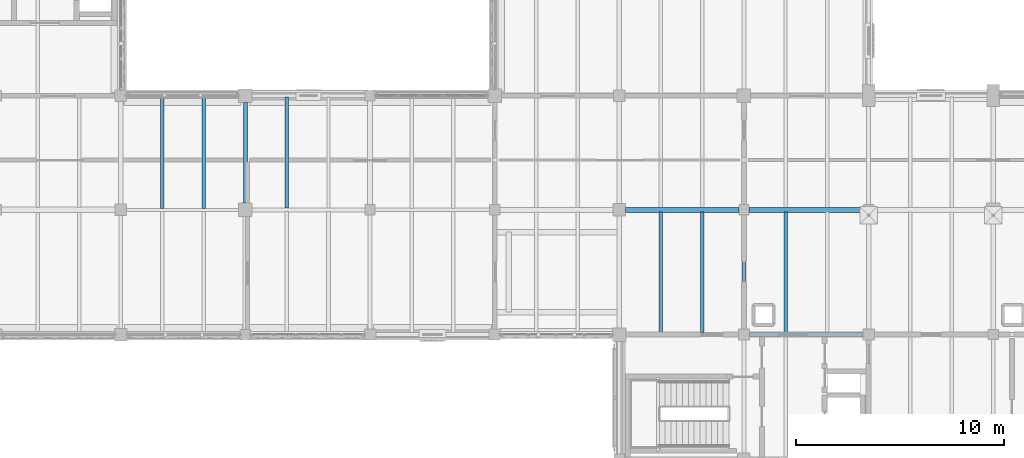
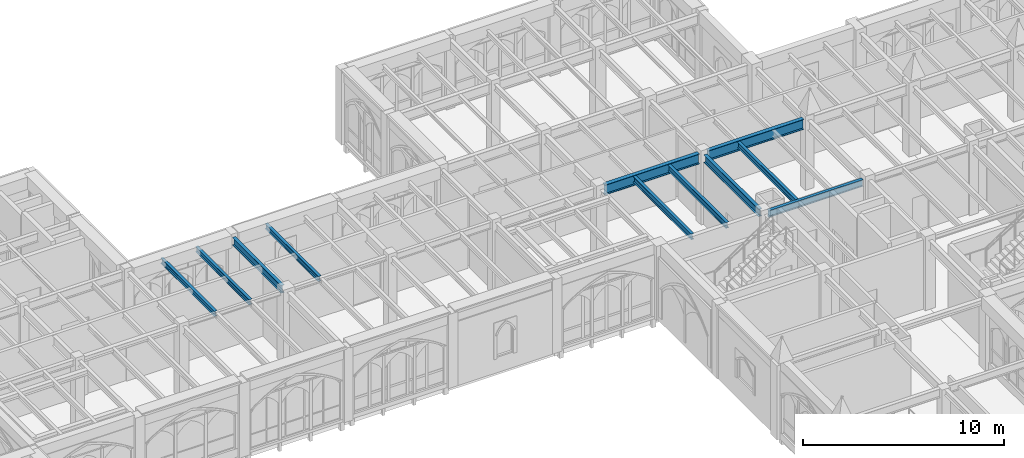
# One storey, part 29 of 143: 11 beams.
"""IFC4 building model written with IfcOpenShell, lengths in metres."""

from ifc_helpers import new_model, si_unit, direction, frame, origin, origin_2d, place, context, subcontext, project, spatial, i_section, extrude, material, material_profile, profile_set, type_object, element, save


model = new_model("IFC4")

# Units and contexts
model_context = context("Model", 3, precision=1e-05, world=origin(), true_north=direction((0.0, 1.0)))
body_context = subcontext(model_context, "Body", "Model", "MODEL_VIEW")
ifc_project = project(units=[si_unit("LENGTHUNIT", "METRE"), si_unit("AREAUNIT", "SQUARE_METRE"), si_unit("VOLUMEUNIT", "CUBIC_METRE"), si_unit("PLANEANGLEUNIT", "RADIAN"), si_unit("MASSUNIT", "GRAM", prefix="KILO")], contexts=[model_context])

# Site, building, storey
site_placement = place(None, origin())
site = spatial("IfcSite", under=ifc_project, at=site_placement, CompositionType="ELEMENT")
building_placement = place(site_placement, origin())
building = spatial("IfcBuilding", under=site, at=building_placement, Name="Cumevento Cable Car Station", CompositionType="ELEMENT")
storey_placement = place(building_placement, frame((0.0, 0.0, 9.0)))
storey = spatial("IfcBuildingStorey", under=building, at=storey_placement, Name="L03", CompositionType="ELEMENT", Elevation=9.0)

# Beams
ifc_material_1 = material(Name="Steel ASTM A572 Grade 50", Category="steel")
ifc_material_profile_1 = material_profile(ifc_material_1, i_section(OverallWidth=0.22998046875, OverallDepth=0.616943359375, WebThickness=0.01318359375, FlangeThickness=0.022216796875, at=origin_2d()), Name="W610x140.0")
ifc_profile_set_1 = profile_set([ifc_material_profile_1], Name="Steel ASTM A572 Grade 50")
beam_type_1 = type_object("IfcBeamType", Name="Structural Beam BM-01 W610x140.0", PredefinedType="BEAM", material=ifc_profile_set_1)
beam_1_placement = place(storey_placement, frame((58.300048828125, 51.0, 3.943603515625), z_axis=(1.0, 0.0, 0.0), x_axis=(0.0, 1.0, 0.0)))
element("IfcBeam", 1, at=beam_1_placement, inside=storey, type_object=beam_type_1, Name="Beam BM-01 L03 #1059", PredefinedType="BEAM", context=body_context, shape_type="SweptSolid", body=[
    extrude(i_section(OverallWidth=0.22998046875, OverallDepth=0.616943359375, WebThickness=0.01318359375, FlangeThickness=0.022216796875, at=origin_2d()), origin(), (0.0, 0.0, 1.0), 5.449951171875),
])
beam_2_placement = place(storey_placement, frame((64.25, 51.0, 3.943603515625), z_axis=(1.0, 0.0, 0.0), x_axis=(0.0, 1.0, 0.0)))
element("IfcBeam", 2, at=beam_2_placement, inside=storey, type_object=beam_type_1, Name="Beam BM-01 L03 #1067", PredefinedType="BEAM", context=body_context, shape_type="SweptSolid", body=[
    extrude(i_section(OverallWidth=0.22998046875, OverallDepth=0.616943359375, WebThickness=0.01318359375, FlangeThickness=0.022216796875, at=origin_2d()), origin(), (0.0, 0.0, 1.0), 5.5),
])
ifc_material_2 = material(Name="Steel ASTM A572 Grade 50", Category="steel")
ifc_material_profile_2 = material_profile(ifc_material_2, i_section(OverallWidth=0.18994140625, OverallDepth=0.45703125, WebThickness=0.009033203125, FlangeThickness=0.014404296875, at=origin_2d()), Name="W460x74.0")
ifc_profile_set_2 = profile_set([ifc_material_profile_2], Name="Steel ASTM A572 Grade 50")
beam_type_2 = type_object("IfcBeamType", Name="Structural Beam BM-04 W460x74.0", PredefinedType="BEAM", material=ifc_profile_set_2)
beam_3_placement = place(storey_placement, frame((40.0, 51.324951171875, 4.071533203125), z_axis=(0.0, 1.0, 0.0), x_axis=(-1.0, 0.0, 0.0)))
element("IfcBeam", 3, at=beam_3_placement, inside=storey, type_object=beam_type_2, Name="Beam BM-04 L03 #1043", PredefinedType="BEAM", context=body_context, shape_type="SweptSolid", body=[
    extrude(i_section(OverallWidth=0.18994140625, OverallDepth=0.45703125, WebThickness=0.009033203125, FlangeThickness=0.014404296875, at=origin_2d()), origin(), (0.0, 0.0, 1.0), 4.85009765625),
])
beam_4_placement = place(storey_placement, frame((64.0, 45.27490234375, 3.987548828125), z_axis=(0.0, 1.0, 0.0), x_axis=(-1.0, 0.0, 0.0)))
element("IfcBeam", 4, at=beam_4_placement, inside=storey, type_object=beam_type_2, Name="Beam BM-04 L03 #1064", PredefinedType="BEAM", context=body_context, shape_type="SweptSolid", body=[
    extrude(i_section(OverallWidth=0.18994140625, OverallDepth=0.45703125, WebThickness=0.009033203125, FlangeThickness=0.014404296875, at=origin_2d()), origin(), (0.0, 0.0, 1.0), 5.47509765625),
])
ifc_material_3 = material(Name="Steel ASTM A572 Grade 50", Category="steel")
ifc_material_profile_3 = material_profile(ifc_material_3, i_section(OverallWidth=0.179931640625, OverallDepth=0.4130859375, WebThickness=0.009765625, FlangeThickness=0.01611328125, at=origin_2d()), Name="W410x74.0")
ifc_profile_set_3 = profile_set([ifc_material_profile_3], Name="Steel ASTM A572 Grade 50")
beam_type_3 = type_object("IfcBeamType", Name="Structural Beam BM-09 W410x74.0", PredefinedType="BEAM", material=ifc_profile_set_3)
beam_5_placement = place(storey_placement, frame((64.27490234375, 45.0, 4.009521484375), z_axis=(1.0, 0.0, 0.0), x_axis=(0.0, 1.0, 0.0)))
element("IfcBeam", 5, at=beam_5_placement, inside=storey, type_object=beam_type_3, Name="Beam BM-09 L03 #990", PredefinedType="BEAM", context=body_context, shape_type="SweptSolid", body=[
    extrude(i_section(OverallWidth=0.179931640625, OverallDepth=0.4130859375, WebThickness=0.009765625, FlangeThickness=0.01611328125, at=origin_2d()), origin(), (0.0, 0.0, 1.0), 5.4501953125),
])
ifc_material_4 = material(Name="Steel ASTM A572 Grade 50", Category="steel")
ifc_material_profile_4 = material_profile(ifc_material_4, i_section(OverallWidth=0.1708984375, OverallDepth=0.35498046875, WebThickness=0.007080078125, FlangeThickness=0.01171875, at=origin_2d()), Name="W360x51.0")
ifc_profile_set_4 = profile_set([ifc_material_profile_4], Name="Steel ASTM A572 Grade 50")
beam_type_4 = type_object("IfcBeamType", Name="Structural Joist JS-01 W360x51.0", PredefinedType="JOIST", material=ifc_profile_set_4)
for number, where, z_axis, x_axis, name in (
    (6, (60.0, 45.089599609375, 4.03857421875), (0.0, 1.0, 0.0), (-1.0, 0.0, 0.0), "Composite Floor Joist JS-01 L03 #1244"),
    (7, (62.0, 45.089599609375, 4.03857421875), (0.0, 1.0, 0.0), (-1.0, 0.0, 0.0), "Composite Floor Joist JS-01 L03 #1246"),
):
    element("IfcBeam", number, at=place(storey_placement, frame(where, z_axis=z_axis, x_axis=x_axis)), inside=storey, type_object=beam_type_4, Name=name, PredefinedType="JOIST", context=body_context, shape_type="SweptSolid", body=[
        extrude(i_section(OverallWidth=0.1708984375, OverallDepth=0.35498046875, WebThickness=0.007080078125, FlangeThickness=0.01171875, at=origin_2d()), origin(), (0.0, 0.0, 1.0), 5.807373046875),
    ])
beam_6_placement = place(storey_placement, frame((66.0, 45.077880859375, 4.03857421875), z_axis=(0.0, 1.0, 0.0), x_axis=(-1.0, 0.0, 0.0)))
element("IfcBeam", 8, at=beam_6_placement, inside=storey, type_object=beam_type_4, Name="Composite Floor Joist JS-01 L03 #1248", PredefinedType="JOIST", context=body_context, shape_type="SweptSolid", body=[
    extrude(i_section(OverallWidth=0.1708984375, OverallDepth=0.35498046875, WebThickness=0.007080078125, FlangeThickness=0.01171875, at=origin_2d()), origin(), (0.0, 0.0, 1.0), 5.819091796875),
])
ifc_material_5 = material(Name="Steel ASTM A572 Grade 50", Category="steel")
ifc_material_profile_5 = material_profile(ifc_material_5, i_section(OverallWidth=0.1669921875, OverallDepth=0.31689453125, WebThickness=0.007568359375, FlangeThickness=0.01318359375, at=origin_2d()), Name="W310x52.0")
ifc_profile_set_5 = profile_set([ifc_material_profile_5], Name="Steel ASTM A572 Grade 50")
beam_type_5 = type_object("IfcBeamType", Name="Structural Joist JS-02 W310x52.0", PredefinedType="JOIST", material=ifc_profile_set_5)
for number, where, z_axis, x_axis, name in (
    (9, (36.0, 51.06201171875, 4.1416015625), (0.0, 1.0, 0.0), (-1.0, 0.0, 0.0), "Composite Floor Joist JS-02 L03 #1227"),
    (10, (38.0, 51.06201171875, 4.1416015625), (0.0, 1.0, 0.0), (-1.0, 0.0, 0.0), "Composite Floor Joist JS-02 L03 #1229"),
):
    element("IfcBeam", number, at=place(storey_placement, frame(where, z_axis=z_axis, x_axis=x_axis)), inside=storey, type_object=beam_type_5, Name=name, PredefinedType="JOIST", context=body_context, shape_type="SweptSolid", body=[
        extrude(i_section(OverallWidth=0.1669921875, OverallDepth=0.31689453125, WebThickness=0.007568359375, FlangeThickness=0.01318359375, at=origin_2d()), origin(), (0.0, 0.0, 1.0), 5.361083984375),
    ])
beam_7_placement = place(storey_placement, frame((42.0, 51.089599609375, 4.1416015625), z_axis=(0.0, 1.0, 0.0), x_axis=(-1.0, 0.0, 0.0)))
element("IfcBeam", 11, at=beam_7_placement, inside=storey, type_object=beam_type_5, Name="Composite Floor Joist JS-02 L03 #1231", PredefinedType="JOIST", context=body_context, shape_type="SweptSolid", body=[
    extrude(i_section(OverallWidth=0.1669921875, OverallDepth=0.31689453125, WebThickness=0.007568359375, FlangeThickness=0.01318359375, at=origin_2d()), origin(), (0.0, 0.0, 1.0), 5.33349609375),
])

save(model, "model.ifc")
